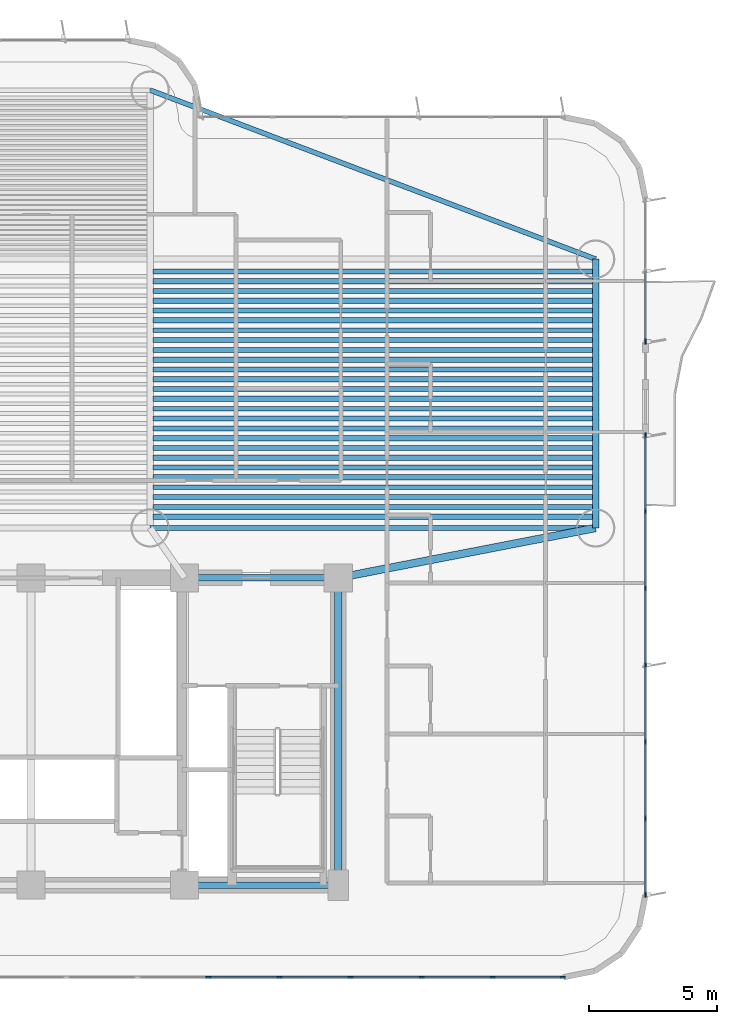
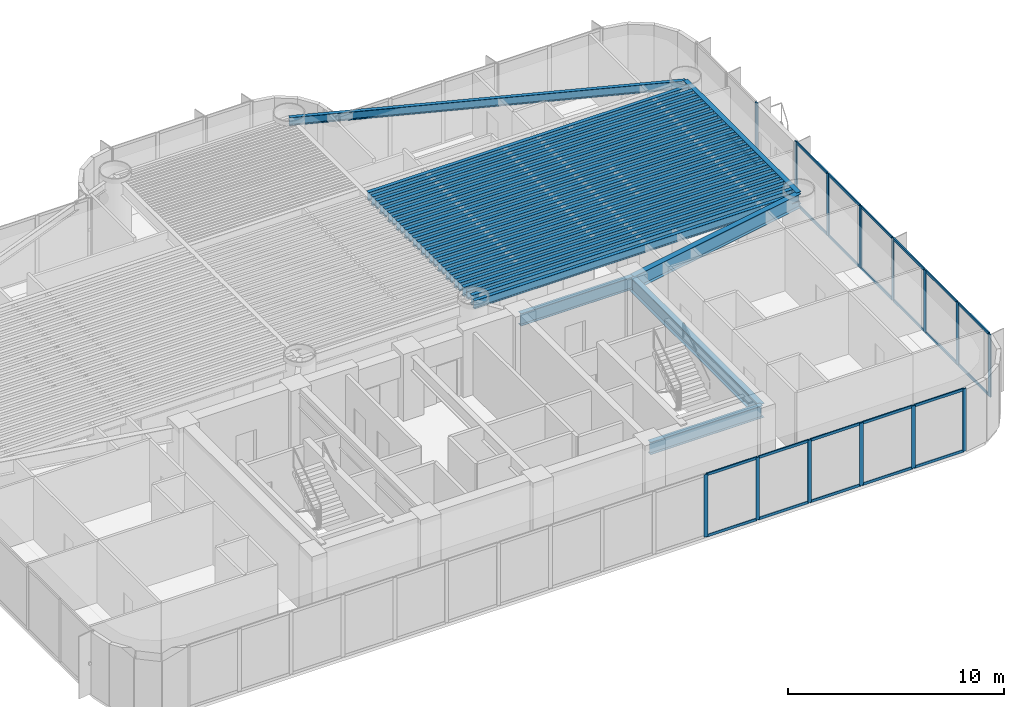
# One storey, part 5 of 18: 37 members, 33 beams, 3 elements without a shape of their own.
"""IFC4 building model written with IfcOpenShell, lengths in metres."""

from ifc_helpers import new_model, si_unit, direction, frame, origin, origin_2d, place, context, subcontext, project, spatial, rectangle, i_section, extrude, source, transform, mapped, material, layer, layer_set, material_profile, profile_set, type_object, element, aggregate, save


model = new_model("IFC4")

# Units and contexts
model_context = context("Model", 3, precision=1e-05, world=origin(), true_north=direction((0.0, 1.0)))
body_context = subcontext(model_context, "Body", "Model", "MODEL_VIEW")
ifc_project = project(units=[si_unit("LENGTHUNIT", "METRE"), si_unit("AREAUNIT", "SQUARE_METRE"), si_unit("VOLUMEUNIT", "CUBIC_METRE"), si_unit("PLANEANGLEUNIT", "RADIAN"), si_unit("MASSUNIT", "GRAM", prefix="KILO")], contexts=[model_context])

# Site, building, storey
site_placement = place(None, origin())
site = spatial("IfcSite", under=ifc_project, at=site_placement, CompositionType="ELEMENT")
building_placement = place(site_placement, origin())
building = spatial("IfcBuilding", under=site, at=building_placement, Name="Brelvock Crest Care Tower", CompositionType="ELEMENT")
storey_placement = place(building_placement, frame((0.0, 0.0, 38.340087890625)))
storey = spatial("IfcBuildingStorey", under=building, at=storey_placement, Name="L09", CompositionType="ELEMENT", Elevation=38.340087890625)

# Beams
ifc_material_1 = material(Name="Steel Grade 350", Category="steel")
ifc_material_profile_1 = material_profile(ifc_material_1, i_section(OverallWidth=0.25, OverallDepth=0.699951171875, WebThickness=0.011962890625, FlangeThickness=0.02001953125, at=origin_2d()), Name="700WB150")
ifc_profile_set_1 = profile_set([ifc_material_profile_1], Name="Steel Grade 350")
beam_type_1 = type_object("IfcBeamType", Name="BM-G4", PredefinedType="BEAM", material=ifc_profile_set_1)
shared_shape_1 = source(origin(), body_context, "Body", "SweptSolid", [
    extrude(i_section(OverallWidth=0.25, OverallDepth=0.699951171875, WebThickness=0.011962890625, FlangeThickness=0.02001953125, at=origin_2d()), origin(), (0.0, 0.0, 1.0), 6.0),
])
for number, where, z_axis, x_axis, name in (
    (1, (42.0, 6.0, 3.179931640625), (1.0, 0.0, 0.0), (0.0, 1.0, 0.0), "BM-CORES-L09-4"),
    (2, (42.0, 18.0, 3.179931640625), (1.0, 0.0, 0.0), (0.0, 1.0, 0.0), "BM-COREN-L09-4"),
):
    element("IfcBeam", number, at=place(storey_placement, frame(where, z_axis=z_axis, x_axis=x_axis)), inside=storey, type_object=beam_type_1, Name=name, PredefinedType="BEAM", context=body_context, shape_type="MappedRepresentation", body=[
        mapped(shared_shape_1, transform((0.0, 0.0, 0.0), x_axis=(1.0, 0.0, 0.0), y_axis=(0.0, 1.0, 0.0), z_axis=(0.0, 0.0, 1.0), scale=1.0)),
    ])
ifc_material_profile_2 = material_profile(ifc_material_1, i_section(OverallWidth=0.300048828125, OverallDepth=0.800048828125, WebThickness=0.013916015625, FlangeThickness=0.02197265625, at=origin_2d()), Name="800WB192")
ifc_profile_set_2 = profile_set([ifc_material_profile_2], Name="Steel Grade 350")
beam_type_2 = type_object("IfcBeamType", Name="BM-G5", PredefinedType="BEAM", material=ifc_profile_set_2)
shared_shape_2 = source(origin(), body_context, "Body", "SweptSolid", [
    extrude(i_section(OverallWidth=0.300048828125, OverallDepth=0.800048828125, WebThickness=0.013916015625, FlangeThickness=0.02197265625, at=origin_2d()), origin(), (0.0, 0.0, 1.0), 12.0),
])
beam_1_placement = place(storey_placement, frame((48.0, 6.0, 3.1298828125), z_axis=(0.0, 1.0, 0.0), x_axis=(-1.0, 0.0, 0.0)))
element("IfcBeam", 3, at=beam_1_placement, inside=storey, type_object=beam_type_2, Name="BM-COREX-L09-5", PredefinedType="BEAM", context=body_context, shape_type="MappedRepresentation", body=[
    mapped(shared_shape_2, transform((0.0, 0.0, 0.0), x_axis=(1.0, 0.0, 0.0), y_axis=(0.0, 1.0, 0.0), z_axis=(0.0, 0.0, 1.0), scale=1.0)),
])
shared_shape_3 = source(origin(), body_context, "Body", "SweptSolid", [
    extrude(i_section(OverallWidth=0.25, OverallDepth=0.699951171875, WebThickness=0.011962890625, FlangeThickness=0.02001953125, at=origin_2d()), origin(), (0.0, 0.0, 1.0), 10.5),
])
beam_2_placement = place(storey_placement, frame((58.050048828125, 19.949951171875, 3.179931640625), z_axis=(0.0, 1.0, 0.0), x_axis=(-1.0, 0.0, 0.0)))
element("IfcBeam", 4, at=beam_2_placement, inside=storey, type_object=beam_type_1, Name="BM-TWR-L09-02", PredefinedType="BEAM", context=body_context, shape_type="MappedRepresentation", body=[
    mapped(shared_shape_3, transform((0.0, 0.0, 0.0), x_axis=(1.0, 0.0, 0.0), y_axis=(0.0, 1.0, 0.0), z_axis=(0.0, 0.0, 1.0), scale=1.0)),
])
ifc_material_profile_3 = material_profile(ifc_material_1, i_section(OverallWidth=0.19091796875, OverallDepth=0.4599609375, WebThickness=0.010009765625, FlangeThickness=0.01611328125, FilletRadius=0.011474609375, at=origin_2d()), Name="460UB82.1")
ifc_profile_set_3 = profile_set([ifc_material_profile_3], Name="Steel Grade 350")
beam_type_3 = type_object("IfcBeamType", Name="BM-SP2", PredefinedType="SPANDREL", material=ifc_profile_set_3)
shared_shape_4 = source(origin(), body_context, "Body", "SweptSolid", [
    extrude(i_section(OverallWidth=0.19091796875, OverallDepth=0.4599609375, WebThickness=0.010009765625, FlangeThickness=0.01611328125, FilletRadius=0.011474609375, at=origin_2d()), origin(), (0.0, 0.0, 1.0), 17.400146484375),
])
beam_3_placement = place(storey_placement, frame((40.64990234375, 19.949951171875, 3.2998046875), z_axis=(1.0, 0.0, 0.0), x_axis=(0.0, 1.0, 0.0)))
element("IfcBeam", 5, at=beam_3_placement, inside=storey, type_object=beam_type_3, Name="BM-TWR-L09-04", PredefinedType="SPANDREL", context=body_context, shape_type="MappedRepresentation", body=[
    mapped(shared_shape_4, transform((0.0, 0.0, 0.0), x_axis=(1.0, 0.0, 0.0), y_axis=(0.0, 1.0, 0.0), z_axis=(0.0, 0.0, 1.0), scale=1.0)),
])
shared_shape_5 = source(origin(), body_context, "Body", "SweptSolid", [
    extrude(i_section(OverallWidth=0.19091796875, OverallDepth=0.4599609375, WebThickness=0.010009765625, FlangeThickness=0.01611328125, FilletRadius=0.011474609375, at=origin_2d()), origin(), (0.0, 0.0, 1.0), 18.60986328125),
])
beam_4_placement = place(storey_placement, frame((40.64990234375, 37.050048828125, 3.2998046875), z_axis=(0.934996776275, -0.3546562115, 0.0), x_axis=(0.3546562115, 0.934996776275, 0.0)))
element("IfcBeam", 6, at=beam_4_placement, inside=storey, type_object=beam_type_3, Name="BM-TWR-L09-07", PredefinedType="SPANDREL", context=body_context, shape_type="MappedRepresentation", body=[
    mapped(shared_shape_5, transform((0.0, 0.0, 0.0), x_axis=(1.0, 0.0, 0.0), y_axis=(0.0, 1.0, 0.0), z_axis=(0.0, 0.0, 1.0), scale=1.0)),
])
shared_shape_6 = source(origin(), body_context, "Body", "SweptSolid", [
    extrude(i_section(OverallWidth=0.300048828125, OverallDepth=0.800048828125, WebThickness=0.013916015625, FlangeThickness=0.02197265625, at=origin_2d()), origin(), (0.0, 0.0, 1.0), 10.237548828125),
])
beam_5_placement = place(storey_placement, frame((48.0, 18.0, 3.1298828125), z_axis=(0.981692632568, 0.190471979991, 0.0), x_axis=(-0.190471979991, 0.981692632568, 0.0)))
element("IfcBeam", 7, at=beam_5_placement, inside=storey, type_object=beam_type_2, Name="BM-THRO-E-L09", PredefinedType="BEAM", context=body_context, shape_type="MappedRepresentation", body=[
    mapped(shared_shape_6, transform((0.0, 0.0, 0.0), x_axis=(1.0, 0.0, 0.0), y_axis=(0.0, 1.0, 0.0), z_axis=(0.0, 0.0, 1.0), scale=1.0)),
])
ifc_material_profile_4 = material_profile(ifc_material_1, i_section(OverallWidth=0.208984375, OverallDepth=0.532958984375, WebThickness=0.01025390625, FlangeThickness=0.015625, FilletRadius=0.013916015625, at=origin_2d()), Name="530UB92.4")
ifc_profile_set_4 = profile_set([ifc_material_profile_4], Name="Steel Grade 350")
beam_type_4 = type_object("IfcBeamType", Name="BM-G2", PredefinedType="BEAM", material=ifc_profile_set_4)
shared_shape_7 = source(origin(), body_context, "Body", "SweptSolid", [
    extrude(i_section(OverallWidth=0.208984375, OverallDepth=0.532958984375, WebThickness=0.01025390625, FlangeThickness=0.015625, FilletRadius=0.013916015625, at=origin_2d()), origin(), (0.0, 0.0, 1.0), 17.170166015625),
])
for number, where, z_axis, x_axis, name in (
    (8, (40.764892578125, 20.39111328125, 3.263427734375), (1.0, 0.0, 0.0), (0.0, 1.0, 0.0), "BM-JE-L09-1"),
    (9, (40.764892578125, 21.157470703125, 3.263427734375), (1.0, 0.0, 0.0), (0.0, 1.0, 0.0), "BM-JE-L09-3"),
    (10, (40.764892578125, 21.924072265625, 3.263427734375), (1.0, 0.0, 0.0), (0.0, 1.0, 0.0), "BM-JE-L09-5"),
    (11, (40.764892578125, 22.6904296875, 3.263427734375), (1.0, 0.0, 0.0), (0.0, 1.0, 0.0), "BM-JE-L09-7"),
    (12, (40.764892578125, 23.45703125, 3.263427734375), (1.0, 0.0, 0.0), (0.0, 1.0, 0.0), "BM-JE-L09-9"),
    (13, (40.764892578125, 24.223388671875, 3.263427734375), (1.0, 0.0, 0.0), (0.0, 1.0, 0.0), "BM-JE-L09-11"),
    (14, (40.764892578125, 24.989990234375, 3.263427734375), (1.0, 0.0, 0.0), (0.0, 1.0, 0.0), "BM-JE-L09-13"),
    (15, (40.764892578125, 25.756591796875, 3.263427734375), (1.0, 0.0, 0.0), (0.0, 1.0, 0.0), "BM-JE-L09-15"),
    (16, (40.764892578125, 26.52294921875, 3.263427734375), (1.0, 0.0, 0.0), (0.0, 1.0, 0.0), "BM-JE-L09-17"),
    (17, (40.764892578125, 27.28955078125, 3.263427734375), (1.0, 0.0, 0.0), (0.0, 1.0, 0.0), "BM-JE-L09-19"),
    (18, (40.764892578125, 28.055908203125, 3.263427734375), (1.0, 0.0, 0.0), (0.0, 1.0, 0.0), "BM-JE-L09-21"),
    (19, (40.764892578125, 28.822509765625, 3.263427734375), (1.0, 0.0, 0.0), (0.0, 1.0, 0.0), "BM-JE-L09-23"),
    (20, (40.764892578125, 29.589111328125, 3.263427734375), (1.0, 0.0, 0.0), (0.0, 1.0, 0.0), "BM-JE-L09-25"),
):
    element("IfcBeam", number, at=place(storey_placement, frame(where, z_axis=z_axis, x_axis=x_axis)), inside=storey, type_object=beam_type_4, Name=name, PredefinedType="BEAM", context=body_context, shape_type="MappedRepresentation", body=[
        mapped(shared_shape_7, transform((0.0, 0.0, 0.0), x_axis=(1.0, 0.0, 0.0), y_axis=(0.0, 1.0, 0.0), z_axis=(0.0, 0.0, 1.0), scale=1.0)),
    ])
ifc_material_profile_5 = material_profile(ifc_material_1, i_section(OverallWidth=0.19091796875, OverallDepth=0.4599609375, WebThickness=0.010009765625, FlangeThickness=0.01611328125, FilletRadius=0.011474609375, at=origin_2d()), Name="460UB82.1")
ifc_profile_set_5 = profile_set([ifc_material_profile_5], Name="Steel Grade 350")
beam_type_5 = type_object("IfcBeamType", Name="BM-G3", PredefinedType="BEAM", material=ifc_profile_set_5)
shared_shape_8 = source(origin(), body_context, "Body", "SweptSolid", [
    extrude(i_section(OverallWidth=0.19091796875, OverallDepth=0.4599609375, WebThickness=0.010009765625, FlangeThickness=0.01611328125, FilletRadius=0.011474609375, at=origin_2d()), origin(), (0.0, 0.0, 1.0), 17.170166015625),
])
for number, where, z_axis, x_axis, name in (
    (21, (40.764892578125, 20.774169921875, 3.2998046875), (1.0, 0.0, 0.0), (0.0, 1.0, 0.0), "BM-JE-L09-2"),
    (22, (40.764892578125, 21.540771484375, 3.2998046875), (1.0, 0.0, 0.0), (0.0, 1.0, 0.0), "BM-JE-L09-4"),
    (23, (40.764892578125, 22.30712890625, 3.2998046875), (1.0, 0.0, 0.0), (0.0, 1.0, 0.0), "BM-JE-L09-6"),
    (24, (40.764892578125, 23.07373046875, 3.2998046875), (1.0, 0.0, 0.0), (0.0, 1.0, 0.0), "BM-JE-L09-8"),
    (25, (40.764892578125, 23.840087890625, 3.2998046875), (1.0, 0.0, 0.0), (0.0, 1.0, 0.0), "BM-JE-L09-10"),
    (26, (40.764892578125, 24.606689453125, 3.2998046875), (1.0, 0.0, 0.0), (0.0, 1.0, 0.0), "BM-JE-L09-12"),
    (27, (40.764892578125, 25.373291015625, 3.2998046875), (1.0, 0.0, 0.0), (0.0, 1.0, 0.0), "BM-JE-L09-14"),
    (28, (40.764892578125, 26.1396484375, 3.2998046875), (1.0, 0.0, 0.0), (0.0, 1.0, 0.0), "BM-JE-L09-16"),
    (29, (40.764892578125, 26.90625, 3.2998046875), (1.0, 0.0, 0.0), (0.0, 1.0, 0.0), "BM-JE-L09-18"),
    (30, (40.764892578125, 27.6728515625, 3.2998046875), (1.0, 0.0, 0.0), (0.0, 1.0, 0.0), "BM-JE-L09-20"),
    (31, (40.764892578125, 28.439208984375, 3.2998046875), (1.0, 0.0, 0.0), (0.0, 1.0, 0.0), "BM-JE-L09-22"),
    (32, (40.764892578125, 29.205810546875, 3.2998046875), (1.0, 0.0, 0.0), (0.0, 1.0, 0.0), "BM-JE-L09-24"),
    (33, (40.764892578125, 29.97216796875, 3.2998046875), (1.0, 0.0, 0.0), (0.0, 1.0, 0.0), "BM-JE-L09-26"),
):
    element("IfcBeam", number, at=place(storey_placement, frame(where, z_axis=z_axis, x_axis=x_axis)), inside=storey, type_object=beam_type_5, Name=name, PredefinedType="BEAM", context=body_context, shape_type="MappedRepresentation", body=[
        mapped(shared_shape_8, transform((0.0, 0.0, 0.0), x_axis=(1.0, 0.0, 0.0), y_axis=(0.0, 1.0, 0.0), z_axis=(0.0, 0.0, 1.0), scale=1.0)),
    ])

# Curtain wall, member
ifc_material_2 = material(Name="Dark Glass Double Glazed Low-E", Category="glass")
ifc_layer = layer(ifc_material_2, 0.195068359375, Name="CWS-2")
ifc_layer_set = layer_set([ifc_layer], Name="Dark Glass Double Glazed Low-E")
curtain_wall_type = type_object("IfcCurtainWallType", Name="CWS-2", PredefinedType="NOTDEFINED", material=ifc_layer_set)
curtain_wall_1_placement = place(storey_placement, origin())
curtain_wall_1 = element("IfcCurtainWall", 34, at=curtain_wall_1_placement, inside=storey, type_object=curtain_wall_type, Name="L09 Curtain Wall E03A", PredefinedType="NOTDEFINED")
ifc_material_3 = material(Name="Aluminium 6063-T6", Category="aluminium")
ifc_material_profile_6 = material_profile(ifc_material_3, rectangle(XDim=0.06494140625, YDim=0.199951171875, at=origin_2d()), Name="ALU65x200")
ifc_profile_set_6 = profile_set([ifc_material_profile_6], Name="Aluminium 6063-T6")
member_type_1 = type_object("IfcMemberType", Name="CWM-1", PredefinedType="MULLION", material=ifc_profile_set_6)
shared_shape_9 = source(origin(), body_context, "Body", "SweptSolid", [
    extrude(rectangle(XDim=0.06494140625, YDim=0.199951171875, at=origin_2d()), origin(), (0.0, 0.0, 1.0), 3.530029296875),
])
member_1_placement = place(storey_placement, frame((60.0, 27.232421875, 0.0), z_axis=(0.0, 0.0, 1.0), x_axis=(1.0, 0.0, 0.0)))
member_1 = element("IfcMember", 35, at=member_1_placement, type_object=member_type_1, Name="CW-2 mullion 3", PredefinedType="MULLION", context=body_context, shape_type="MappedRepresentation", body=[
    mapped(shared_shape_9, transform((0.0, 0.0, 0.0), x_axis=(1.0, 0.0, 0.0), y_axis=(0.0, 1.0, 0.0), z_axis=(0.0, 0.0, 1.0), scale=1.0)),
])

# Curtain wall, members
curtain_wall_2_placement = place(storey_placement, origin())
curtain_wall_2 = element("IfcCurtainWall", 36, at=curtain_wall_2_placement, inside=storey, type_object=curtain_wall_type, Name="L09 Curtain Wall E03B", PredefinedType="NOTDEFINED")
member_2_placement = place(storey_placement, frame((60.0, 23.5673828125, 0.0), z_axis=(0.0, 0.0, 1.0), x_axis=(1.0, 0.0, 0.0)))
member_2 = element("IfcMember", 37, at=member_2_placement, type_object=member_type_1, Name="CW-2 mullion 1", PredefinedType="MULLION", context=body_context, shape_type="MappedRepresentation", body=[
    mapped(shared_shape_9, transform((0.0, 0.0, 0.0), x_axis=(1.0, 0.0, 0.0), y_axis=(0.0, 1.0, 0.0), z_axis=(0.0, 0.0, 1.0), scale=1.0)),
])
member_3_placement = place(storey_placement, frame((60.0, 20.60009765625, 0.0), z_axis=(0.0, 0.0, 1.0), x_axis=(1.0, 0.0, 0.0)))
member_3 = element("IfcMember", 38, at=member_3_placement, type_object=member_type_1, Name="CW-2 mullion 2", PredefinedType="MULLION", context=body_context, shape_type="MappedRepresentation", body=[
    mapped(shared_shape_9, transform((0.0, 0.0, 0.0), x_axis=(1.0, 0.0, 0.0), y_axis=(0.0, 1.0, 0.0), z_axis=(0.0, 0.0, 1.0), scale=1.0)),
])
member_4_placement = place(storey_placement, frame((60.0, 17.60009765625, 0.0), z_axis=(0.0, 0.0, 1.0), x_axis=(1.0, 0.0, 0.0)))
member_4 = element("IfcMember", 39, at=member_4_placement, type_object=member_type_1, Name="CW-2 mullion 3", PredefinedType="MULLION", context=body_context, shape_type="MappedRepresentation", body=[
    mapped(shared_shape_9, transform((0.0, 0.0, 0.0), x_axis=(1.0, 0.0, 0.0), y_axis=(0.0, 1.0, 0.0), z_axis=(0.0, 0.0, 1.0), scale=1.0)),
])
member_5_placement = place(storey_placement, frame((60.0, 14.60009765625, 0.0), z_axis=(0.0, 0.0, 1.0), x_axis=(1.0, 0.0, 0.0)))
member_5 = element("IfcMember", 40, at=member_5_placement, type_object=member_type_1, Name="CW-2 mullion 4", PredefinedType="MULLION", context=body_context, shape_type="MappedRepresentation", body=[
    mapped(shared_shape_9, transform((0.0, 0.0, 0.0), x_axis=(1.0, 0.0, 0.0), y_axis=(0.0, 1.0, 0.0), z_axis=(0.0, 0.0, 1.0), scale=1.0)),
])
member_6_placement = place(storey_placement, frame((60.0, 11.60009765625, 0.0), z_axis=(0.0, 0.0, 1.0), x_axis=(1.0, 0.0, 0.0)))
member_6 = element("IfcMember", 41, at=member_6_placement, type_object=member_type_1, Name="CW-2 mullion 5", PredefinedType="MULLION", context=body_context, shape_type="MappedRepresentation", body=[
    mapped(shared_shape_9, transform((0.0, 0.0, 0.0), x_axis=(1.0, 0.0, 0.0), y_axis=(0.0, 1.0, 0.0), z_axis=(0.0, 0.0, 1.0), scale=1.0)),
])
member_7_placement = place(storey_placement, frame((60.0, 8.60009765625, 0.0), z_axis=(0.0, 0.0, 1.0), x_axis=(1.0, 0.0, 0.0)))
member_7 = element("IfcMember", 42, at=member_7_placement, type_object=member_type_1, Name="CW-2 mullion 6", PredefinedType="MULLION", context=body_context, shape_type="MappedRepresentation", body=[
    mapped(shared_shape_9, transform((0.0, 0.0, 0.0), x_axis=(1.0, 0.0, 0.0), y_axis=(0.0, 1.0, 0.0), z_axis=(0.0, 0.0, 1.0), scale=1.0)),
])
member_8_placement = place(storey_placement, frame((60.0, 5.632568359375, 0.0), z_axis=(0.0, 0.0, 1.0), x_axis=(1.0, 0.0, 0.0)))
member_8 = element("IfcMember", 43, at=member_8_placement, type_object=member_type_1, Name="CW-2 mullion 7", PredefinedType="MULLION", context=body_context, shape_type="MappedRepresentation", body=[
    mapped(shared_shape_9, transform((0.0, 0.0, 0.0), x_axis=(1.0, 0.0, 0.0), y_axis=(0.0, 1.0, 0.0), z_axis=(0.0, 0.0, 1.0), scale=1.0)),
])

curtain_wall_3_placement = place(storey_placement, origin())
curtain_wall_3 = element("IfcCurtainWall", 44, at=curtain_wall_3_placement, inside=storey, type_object=curtain_wall_type, Name="L09 Curtain Wall E08", PredefinedType="NOTDEFINED")
member_9_placement = place(storey_placement, frame((56.767578125, 2.39990234375, 0.0), z_axis=(0.0, 0.0, 1.0), x_axis=(0.0, -1.0, 0.0)))
member_9 = element("IfcMember", 45, at=member_9_placement, type_object=member_type_1, Name="CW-2 mullion 1", PredefinedType="MULLION", context=body_context, shape_type="MappedRepresentation", body=[
    mapped(shared_shape_9, transform((0.0, 0.0, 0.0), x_axis=(1.0, 0.0, 0.0), y_axis=(0.0, 1.0, 0.0), z_axis=(0.0, 0.0, 1.0), scale=1.0)),
])
member_10_placement = place(storey_placement, frame((54.026611328125, 2.39990234375, 0.0), z_axis=(0.0, 0.0, 1.0), x_axis=(0.0, -1.0, 0.0)))
member_10 = element("IfcMember", 46, at=member_10_placement, type_object=member_type_1, Name="CW-2 mullion 2", PredefinedType="MULLION", context=body_context, shape_type="MappedRepresentation", body=[
    mapped(shared_shape_9, transform((0.0, 0.0, 0.0), x_axis=(1.0, 0.0, 0.0), y_axis=(0.0, 1.0, 0.0), z_axis=(0.0, 0.0, 1.0), scale=1.0)),
])
member_11_placement = place(storey_placement, frame((51.25341796875, 2.39990234375, 0.0), z_axis=(0.0, 0.0, 1.0), x_axis=(0.0, -1.0, 0.0)))
member_11 = element("IfcMember", 47, at=member_11_placement, type_object=member_type_1, Name="CW-2 mullion 3", PredefinedType="MULLION", context=body_context, shape_type="MappedRepresentation", body=[
    mapped(shared_shape_9, transform((0.0, 0.0, 0.0), x_axis=(1.0, 0.0, 0.0), y_axis=(0.0, 1.0, 0.0), z_axis=(0.0, 0.0, 1.0), scale=1.0)),
])
member_12_placement = place(storey_placement, frame((48.47998046875, 2.39990234375, 0.0), z_axis=(0.0, 0.0, 1.0), x_axis=(0.0, -1.0, 0.0)))
member_12 = element("IfcMember", 48, at=member_12_placement, type_object=member_type_1, Name="CW-2 mullion 4", PredefinedType="MULLION", context=body_context, shape_type="MappedRepresentation", body=[
    mapped(shared_shape_9, transform((0.0, 0.0, 0.0), x_axis=(1.0, 0.0, 0.0), y_axis=(0.0, 1.0, 0.0), z_axis=(0.0, 0.0, 1.0), scale=1.0)),
])
member_13_placement = place(storey_placement, frame((45.706787109375, 2.39990234375, 0.0), z_axis=(0.0, 0.0, 1.0), x_axis=(0.0, -1.0, 0.0)))
member_13 = element("IfcMember", 49, at=member_13_placement, type_object=member_type_1, Name="CW-2 mullion 5", PredefinedType="MULLION", context=body_context, shape_type="MappedRepresentation", body=[
    mapped(shared_shape_9, transform((0.0, 0.0, 0.0), x_axis=(1.0, 0.0, 0.0), y_axis=(0.0, 1.0, 0.0), z_axis=(0.0, 0.0, 1.0), scale=1.0)),
])
member_14_placement = place(storey_placement, frame((42.933349609375, 2.39990234375, 0.0), z_axis=(0.0, 0.0, 1.0), x_axis=(0.0, -1.0, 0.0)))
member_14 = element("IfcMember", 50, at=member_14_placement, type_object=member_type_1, Name="CW-2 mullion 6", PredefinedType="MULLION", context=body_context, shape_type="MappedRepresentation", body=[
    mapped(shared_shape_9, transform((0.0, 0.0, 0.0), x_axis=(1.0, 0.0, 0.0), y_axis=(0.0, 1.0, 0.0), z_axis=(0.0, 0.0, 1.0), scale=1.0)),
])
ifc_material_profile_7 = material_profile(ifc_material_3, rectangle(XDim=0.06494140625, YDim=0.14990234375, at=origin_2d()), Name="ALU65x150")
ifc_profile_set_7 = profile_set([ifc_material_profile_7], Name="Aluminium 6063-T6")
member_type_2 = type_object("IfcMemberType", Name="CWT-1", PredefinedType="USERDEFINED", material=ifc_profile_set_7)
shared_shape_10 = source(origin(), body_context, "Body", "SweptSolid", [
    extrude(rectangle(XDim=0.06494140625, YDim=0.14990234375, at=origin_2d()), origin(), (0.0, 0.0, 1.0), 2.676025390625),
])
member_15_placement = place(storey_placement, frame((56.735107421875, 2.39990234375, 0.032470703125), z_axis=(-1.0, 0.0, 0.0), x_axis=(0.0, -1.0, 0.0)))
member_15 = element("IfcMember", 51, at=member_15_placement, type_object=member_type_2, Name="CW-2 transom 1.1", ObjectType="TRANSOM", PredefinedType="USERDEFINED", context=body_context, shape_type="MappedRepresentation", body=[
    mapped(shared_shape_10, transform((0.0, 0.0, 0.0), x_axis=(1.0, 0.0, 0.0), y_axis=(0.0, 1.0, 0.0), z_axis=(0.0, 0.0, 1.0), scale=1.0)),
])
member_16_placement = place(storey_placement, frame((56.735107421875, 2.39990234375, 3.497314453125), z_axis=(-1.0, 0.0, 0.0), x_axis=(0.0, -1.0, 0.0)))
member_16 = element("IfcMember", 52, at=member_16_placement, type_object=member_type_2, Name="CW-2 transom 1.2", ObjectType="TRANSOM", PredefinedType="USERDEFINED", context=body_context, shape_type="MappedRepresentation", body=[
    mapped(shared_shape_10, transform((0.0, 0.0, 0.0), x_axis=(1.0, 0.0, 0.0), y_axis=(0.0, 1.0, 0.0), z_axis=(0.0, 0.0, 1.0), scale=1.0)),
])
shared_shape_11 = source(origin(), body_context, "Body", "SweptSolid", [
    extrude(rectangle(XDim=0.06494140625, YDim=0.14990234375, at=origin_2d()), origin(), (0.0, 0.0, 1.0), 2.708251953125),
])
member_17_placement = place(storey_placement, frame((53.994140625, 2.39990234375, 0.032470703125), z_axis=(-1.0, 0.0, 0.0), x_axis=(0.0, -1.0, 0.0)))
member_17 = element("IfcMember", 53, at=member_17_placement, type_object=member_type_2, Name="CW-2 transom 2.1", ObjectType="TRANSOM", PredefinedType="USERDEFINED", context=body_context, shape_type="MappedRepresentation", body=[
    mapped(shared_shape_11, transform((0.0, 0.0, 0.0), x_axis=(1.0, 0.0, 0.0), y_axis=(0.0, 1.0, 0.0), z_axis=(0.0, 0.0, 1.0), scale=1.0)),
])
member_18_placement = place(storey_placement, frame((53.994140625, 2.39990234375, 3.497314453125), z_axis=(-1.0, 0.0, 0.0), x_axis=(0.0, -1.0, 0.0)))
member_18 = element("IfcMember", 54, at=member_18_placement, type_object=member_type_2, Name="CW-2 transom 2.2", ObjectType="TRANSOM", PredefinedType="USERDEFINED", context=body_context, shape_type="MappedRepresentation", body=[
    mapped(shared_shape_11, transform((0.0, 0.0, 0.0), x_axis=(1.0, 0.0, 0.0), y_axis=(0.0, 1.0, 0.0), z_axis=(0.0, 0.0, 1.0), scale=1.0)),
])
member_19_placement = place(storey_placement, frame((48.447509765625, 2.39990234375, 0.032470703125), z_axis=(-1.0, 0.0, 0.0), x_axis=(0.0, -1.0, 0.0)))
member_19 = element("IfcMember", 55, at=member_19_placement, type_object=member_type_2, Name="CW-2 transom 4.1", ObjectType="TRANSOM", PredefinedType="USERDEFINED", context=body_context, shape_type="MappedRepresentation", body=[
    mapped(shared_shape_11, transform((0.0, 0.0, 0.0), x_axis=(1.0, 0.0, 0.0), y_axis=(0.0, 1.0, 0.0), z_axis=(0.0, 0.0, 1.0), scale=1.0)),
])
member_20_placement = place(storey_placement, frame((48.447509765625, 2.39990234375, 3.497314453125), z_axis=(-1.0, 0.0, 0.0), x_axis=(0.0, -1.0, 0.0)))
member_20 = element("IfcMember", 56, at=member_20_placement, type_object=member_type_2, Name="CW-2 transom 4.2", ObjectType="TRANSOM", PredefinedType="USERDEFINED", context=body_context, shape_type="MappedRepresentation", body=[
    mapped(shared_shape_11, transform((0.0, 0.0, 0.0), x_axis=(1.0, 0.0, 0.0), y_axis=(0.0, 1.0, 0.0), z_axis=(0.0, 0.0, 1.0), scale=1.0)),
])
member_21_placement = place(storey_placement, frame((45.674072265625, 2.39990234375, 0.032470703125), z_axis=(-1.0, 0.0, 0.0), x_axis=(0.0, -1.0, 0.0)))
member_21 = element("IfcMember", 57, at=member_21_placement, type_object=member_type_2, Name="CW-2 transom 5.1", ObjectType="TRANSOM", PredefinedType="USERDEFINED", context=body_context, shape_type="MappedRepresentation", body=[
    mapped(shared_shape_11, transform((0.0, 0.0, 0.0), x_axis=(1.0, 0.0, 0.0), y_axis=(0.0, 1.0, 0.0), z_axis=(0.0, 0.0, 1.0), scale=1.0)),
])
member_22_placement = place(storey_placement, frame((45.674072265625, 2.39990234375, 3.497314453125), z_axis=(-1.0, 0.0, 0.0), x_axis=(0.0, -1.0, 0.0)))
member_22 = element("IfcMember", 58, at=member_22_placement, type_object=member_type_2, Name="CW-2 transom 5.2", ObjectType="TRANSOM", PredefinedType="USERDEFINED", context=body_context, shape_type="MappedRepresentation", body=[
    mapped(shared_shape_11, transform((0.0, 0.0, 0.0), x_axis=(1.0, 0.0, 0.0), y_axis=(0.0, 1.0, 0.0), z_axis=(0.0, 0.0, 1.0), scale=1.0)),
])
shared_shape_12 = source(origin(), body_context, "Body", "SweptSolid", [
    extrude(rectangle(XDim=0.06494140625, YDim=0.14990234375, at=origin_2d()), origin(), (0.0, 0.0, 1.0), 2.70849609375),
])
member_23_placement = place(storey_placement, frame((51.220947265625, 2.39990234375, 0.032470703125), z_axis=(-1.0, 0.0, 0.0), x_axis=(0.0, -1.0, 0.0)))
member_23 = element("IfcMember", 59, at=member_23_placement, type_object=member_type_2, Name="CW-2 transom 3.1", ObjectType="TRANSOM", PredefinedType="USERDEFINED", context=body_context, shape_type="MappedRepresentation", body=[
    mapped(shared_shape_12, transform((0.0, 0.0, 0.0), x_axis=(1.0, 0.0, 0.0), y_axis=(0.0, 1.0, 0.0), z_axis=(0.0, 0.0, 1.0), scale=1.0)),
])
member_24_placement = place(storey_placement, frame((51.220947265625, 2.39990234375, 3.497314453125), z_axis=(-1.0, 0.0, 0.0), x_axis=(0.0, -1.0, 0.0)))
member_24 = element("IfcMember", 60, at=member_24_placement, type_object=member_type_2, Name="CW-2 transom 3.2", ObjectType="TRANSOM", PredefinedType="USERDEFINED", context=body_context, shape_type="MappedRepresentation", body=[
    mapped(shared_shape_12, transform((0.0, 0.0, 0.0), x_axis=(1.0, 0.0, 0.0), y_axis=(0.0, 1.0, 0.0), z_axis=(0.0, 0.0, 1.0), scale=1.0)),
])
aggregate(curtain_wall_3, [member_9, member_10, member_11, member_12, member_13, member_14, member_15, member_16, member_17, member_18, member_23, member_24, member_19, member_20, member_21, member_22])

# Member
shared_shape_13 = source(origin(), body_context, "Body", "SweptSolid", [
    extrude(rectangle(XDim=0.06494140625, YDim=0.14990234375, at=origin_2d()), origin(), (0.0, 0.0, 1.0), 2.70263671875),
])
member_25_placement = place(storey_placement, frame((60.0, 29.967529296875, 0.032470703125), z_axis=(0.0, -1.0, 0.0), x_axis=(1.0, 0.0, 0.0)))
member_25 = element("IfcMember", 61, at=member_25_placement, type_object=member_type_2, Name="CW-2 transom 2.1", ObjectType="TRANSOM", PredefinedType="USERDEFINED", context=body_context, shape_type="MappedRepresentation", body=[
    mapped(shared_shape_13, transform((0.0, 0.0, 0.0), x_axis=(1.0, 0.0, 0.0), y_axis=(0.0, 1.0, 0.0), z_axis=(0.0, 0.0, 1.0), scale=1.0)),
])

aggregate(curtain_wall_1, [member_1, member_25])

shared_shape_14 = source(origin(), body_context, "Body", "SweptSolid", [
    extrude(rectangle(XDim=0.06494140625, YDim=0.14990234375, at=origin_2d()), origin(), (0.0, 0.0, 1.0), 2.90234375),
])
member_26_placement = place(storey_placement, frame((60.0, 23.534912109375, 0.032470703125), z_axis=(0.0, -1.0, 0.0), x_axis=(1.0, 0.0, 0.0)))
member_26 = element("IfcMember", 62, at=member_26_placement, type_object=member_type_2, Name="CW-2 transom 1.1", ObjectType="TRANSOM", PredefinedType="USERDEFINED", context=body_context, shape_type="MappedRepresentation", body=[
    mapped(shared_shape_14, transform((0.0, 0.0, 0.0), x_axis=(1.0, 0.0, 0.0), y_axis=(0.0, 1.0, 0.0), z_axis=(0.0, 0.0, 1.0), scale=1.0)),
])

member_27_placement = place(storey_placement, frame((60.0, 23.534912109375, 3.497314453125), z_axis=(0.0, -1.0, 0.0), x_axis=(1.0, 0.0, 0.0)))
member_27 = element("IfcMember", 63, at=member_27_placement, type_object=member_type_2, Name="CW-2 transom 1.2", ObjectType="TRANSOM", PredefinedType="USERDEFINED", context=body_context, shape_type="MappedRepresentation", body=[
    mapped(shared_shape_14, transform((0.0, 0.0, 0.0), x_axis=(1.0, 0.0, 0.0), y_axis=(0.0, 1.0, 0.0), z_axis=(0.0, 0.0, 1.0), scale=1.0)),
])

member_28_placement = place(storey_placement, frame((60.0, 8.5673828125, 0.032470703125), z_axis=(0.0, -1.0, 0.0), x_axis=(1.0, 0.0, 0.0)))
member_28 = element("IfcMember", 64, at=member_28_placement, type_object=member_type_2, Name="CW-2 transom 6.1", ObjectType="TRANSOM", PredefinedType="USERDEFINED", context=body_context, shape_type="MappedRepresentation", body=[
    mapped(shared_shape_14, transform((0.0, 0.0, 0.0), x_axis=(1.0, 0.0, 0.0), y_axis=(0.0, 1.0, 0.0), z_axis=(0.0, 0.0, 1.0), scale=1.0)),
])

member_29_placement = place(storey_placement, frame((60.0, 8.5673828125, 3.497314453125), z_axis=(0.0, -1.0, 0.0), x_axis=(1.0, 0.0, 0.0)))
member_29 = element("IfcMember", 65, at=member_29_placement, type_object=member_type_2, Name="CW-2 transom 6.2", ObjectType="TRANSOM", PredefinedType="USERDEFINED", context=body_context, shape_type="MappedRepresentation", body=[
    mapped(shared_shape_14, transform((0.0, 0.0, 0.0), x_axis=(1.0, 0.0, 0.0), y_axis=(0.0, 1.0, 0.0), z_axis=(0.0, 0.0, 1.0), scale=1.0)),
])

shared_shape_15 = source(origin(), body_context, "Body", "SweptSolid", [
    extrude(rectangle(XDim=0.06494140625, YDim=0.14990234375, at=origin_2d()), origin(), (0.0, 0.0, 1.0), 2.934814453125),
])
member_30_placement = place(storey_placement, frame((60.0, 20.5673828125, 0.032470703125), z_axis=(0.0, -1.0, 0.0), x_axis=(1.0, 0.0, 0.0)))
member_30 = element("IfcMember", 66, at=member_30_placement, type_object=member_type_2, Name="CW-2 transom 2.1", ObjectType="TRANSOM", PredefinedType="USERDEFINED", context=body_context, shape_type="MappedRepresentation", body=[
    mapped(shared_shape_15, transform((0.0, 0.0, 0.0), x_axis=(1.0, 0.0, 0.0), y_axis=(0.0, 1.0, 0.0), z_axis=(0.0, 0.0, 1.0), scale=1.0)),
])

member_31_placement = place(storey_placement, frame((60.0, 20.5673828125, 3.497314453125), z_axis=(0.0, -1.0, 0.0), x_axis=(1.0, 0.0, 0.0)))
member_31 = element("IfcMember", 67, at=member_31_placement, type_object=member_type_2, Name="CW-2 transom 2.2", ObjectType="TRANSOM", PredefinedType="USERDEFINED", context=body_context, shape_type="MappedRepresentation", body=[
    mapped(shared_shape_15, transform((0.0, 0.0, 0.0), x_axis=(1.0, 0.0, 0.0), y_axis=(0.0, 1.0, 0.0), z_axis=(0.0, 0.0, 1.0), scale=1.0)),
])

member_32_placement = place(storey_placement, frame((60.0, 17.5673828125, 0.032470703125), z_axis=(0.0, -1.0, 0.0), x_axis=(1.0, 0.0, 0.0)))
member_32 = element("IfcMember", 68, at=member_32_placement, type_object=member_type_2, Name="CW-2 transom 3.1", ObjectType="TRANSOM", PredefinedType="USERDEFINED", context=body_context, shape_type="MappedRepresentation", body=[
    mapped(shared_shape_15, transform((0.0, 0.0, 0.0), x_axis=(1.0, 0.0, 0.0), y_axis=(0.0, 1.0, 0.0), z_axis=(0.0, 0.0, 1.0), scale=1.0)),
])

member_33_placement = place(storey_placement, frame((60.0, 17.5673828125, 3.497314453125), z_axis=(0.0, -1.0, 0.0), x_axis=(1.0, 0.0, 0.0)))
member_33 = element("IfcMember", 69, at=member_33_placement, type_object=member_type_2, Name="CW-2 transom 3.2", ObjectType="TRANSOM", PredefinedType="USERDEFINED", context=body_context, shape_type="MappedRepresentation", body=[
    mapped(shared_shape_15, transform((0.0, 0.0, 0.0), x_axis=(1.0, 0.0, 0.0), y_axis=(0.0, 1.0, 0.0), z_axis=(0.0, 0.0, 1.0), scale=1.0)),
])

member_34_placement = place(storey_placement, frame((60.0, 14.5673828125, 0.032470703125), z_axis=(0.0, -1.0, 0.0), x_axis=(1.0, 0.0, 0.0)))
member_34 = element("IfcMember", 70, at=member_34_placement, type_object=member_type_2, Name="CW-2 transom 4.1", ObjectType="TRANSOM", PredefinedType="USERDEFINED", context=body_context, shape_type="MappedRepresentation", body=[
    mapped(shared_shape_15, transform((0.0, 0.0, 0.0), x_axis=(1.0, 0.0, 0.0), y_axis=(0.0, 1.0, 0.0), z_axis=(0.0, 0.0, 1.0), scale=1.0)),
])

member_35_placement = place(storey_placement, frame((60.0, 14.5673828125, 3.497314453125), z_axis=(0.0, -1.0, 0.0), x_axis=(1.0, 0.0, 0.0)))
member_35 = element("IfcMember", 71, at=member_35_placement, type_object=member_type_2, Name="CW-2 transom 4.2", ObjectType="TRANSOM", PredefinedType="USERDEFINED", context=body_context, shape_type="MappedRepresentation", body=[
    mapped(shared_shape_15, transform((0.0, 0.0, 0.0), x_axis=(1.0, 0.0, 0.0), y_axis=(0.0, 1.0, 0.0), z_axis=(0.0, 0.0, 1.0), scale=1.0)),
])

member_36_placement = place(storey_placement, frame((60.0, 11.5673828125, 0.032470703125), z_axis=(0.0, -1.0, 0.0), x_axis=(1.0, 0.0, 0.0)))
member_36 = element("IfcMember", 72, at=member_36_placement, type_object=member_type_2, Name="CW-2 transom 5.1", ObjectType="TRANSOM", PredefinedType="USERDEFINED", context=body_context, shape_type="MappedRepresentation", body=[
    mapped(shared_shape_15, transform((0.0, 0.0, 0.0), x_axis=(1.0, 0.0, 0.0), y_axis=(0.0, 1.0, 0.0), z_axis=(0.0, 0.0, 1.0), scale=1.0)),
])

member_37_placement = place(storey_placement, frame((60.0, 11.5673828125, 3.497314453125), z_axis=(0.0, -1.0, 0.0), x_axis=(1.0, 0.0, 0.0)))
member_37 = element("IfcMember", 73, at=member_37_placement, type_object=member_type_2, Name="CW-2 transom 5.2", ObjectType="TRANSOM", PredefinedType="USERDEFINED", context=body_context, shape_type="MappedRepresentation", body=[
    mapped(shared_shape_15, transform((0.0, 0.0, 0.0), x_axis=(1.0, 0.0, 0.0), y_axis=(0.0, 1.0, 0.0), z_axis=(0.0, 0.0, 1.0), scale=1.0)),
])

aggregate(curtain_wall_2, [member_2, member_3, member_4, member_5, member_6, member_7, member_8, member_26, member_27, member_30, member_31, member_32, member_33, member_34, member_35, member_36, member_37, member_28, member_29])

save(model, "model.ifc")
